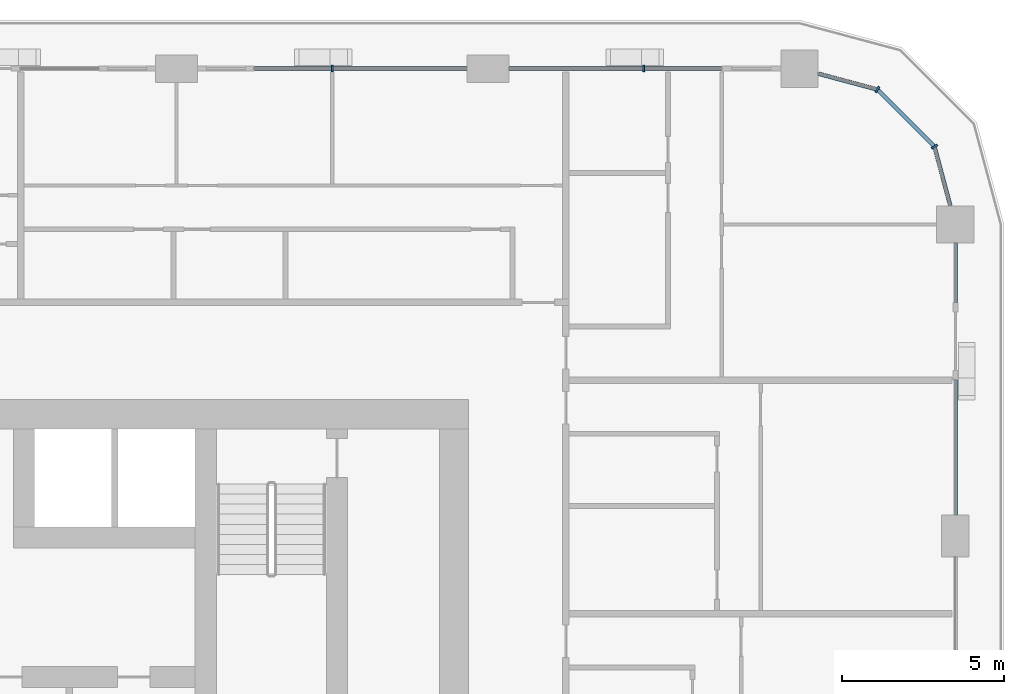
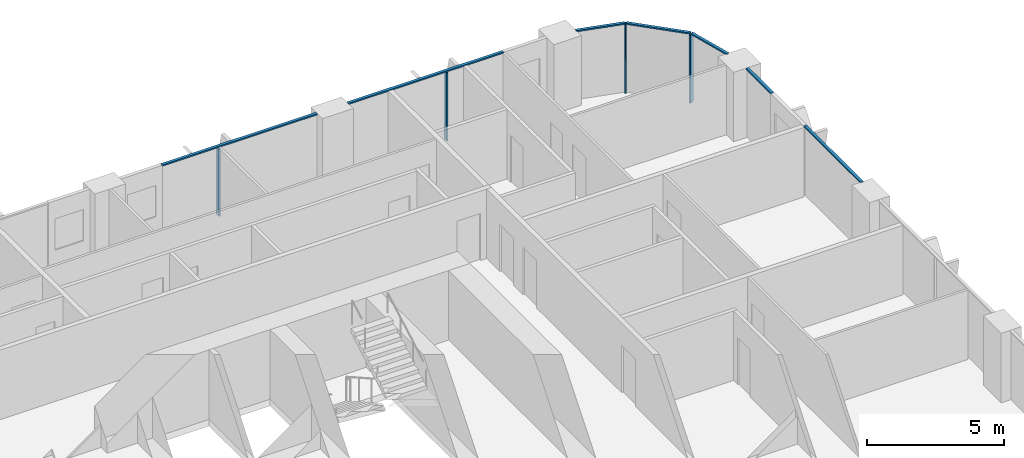
# One storey, part 6 of 21: 11 members, 4 elements without a shape of their own.
"""IFC4 building model written with IfcOpenShell, lengths in metres."""

from ifc_helpers import new_model, si_unit, direction, frame, origin, origin_2d, place, context, subcontext, project, spatial, rectangle, extrude, material, layer, layer_set, material_profile, profile_set, type_object, element, aggregate, save


model = new_model("IFC4")

# Units and contexts
model_context = context("Model", 3, precision=1e-05, world=origin(), true_north=direction((0.0, 1.0)))
body_context = subcontext(model_context, "Body", "Model", "MODEL_VIEW")
ifc_project = project(units=[si_unit("LENGTHUNIT", "METRE"), si_unit("AREAUNIT", "SQUARE_METRE"), si_unit("VOLUMEUNIT", "CUBIC_METRE"), si_unit("PLANEANGLEUNIT", "RADIAN"), si_unit("MASSUNIT", "GRAM", prefix="KILO")], contexts=[model_context])

# Site, building, storey
site_placement = place(None, origin())
site = spatial("IfcSite", under=ifc_project, at=site_placement, CompositionType="ELEMENT")
building_placement = place(site_placement, origin())
building = spatial("IfcBuilding", under=site, at=building_placement, Name="Madar Terraces", CompositionType="ELEMENT")
storey_placement = place(building_placement, frame((0.0, 0.0, 80.300048828125)))
storey = spatial("IfcBuildingStorey", under=building, at=storey_placement, Name="L20", CompositionType="ELEMENT", Elevation=80.300048828125)

# Curtain wall, member
ifc_material_1 = material(Name="Glass, ceramic frit dark grey, with black aluminium frame", Category="aluminium")
ifc_layer = layer(ifc_material_1, 0.199951171875)
ifc_layer_set = layer_set([ifc_layer], Name="Facade curtain wall, fritted glass")
curtain_wall_type = type_object("IfcCurtainWallType", Name="Facade curtain wall, fritted glass", PredefinedType="NOTDEFINED", material=ifc_layer_set)
curtain_wall_1_placement = place(storey_placement, origin())
curtain_wall_1 = element("IfcCurtainWall", 1, at=curtain_wall_1_placement, inside=storey, type_object=curtain_wall_type, Name="Outer skin curtain wall north bay 1", PredefinedType="NOTDEFINED")
ifc_material_2 = material(Name="Aluminium, black anodised", Category="aluminium")
ifc_material_profile_1 = material_profile(ifc_material_2, rectangle(XDim=0.199951171875, YDim=0.06005859375, at=origin_2d()), Name="Facade mullion 60x200")
ifc_profile_set_1 = profile_set([ifc_material_profile_1], Name="Aluminium, black anodised")
member_type_1 = type_object("IfcMemberType", Name="Facade mullion 60x200", PredefinedType="MULLION", material=ifc_profile_set_1)
member_1_placement = place(storey_placement, frame((52.800048828125, 48.0, 0.0), z_axis=(0.0, 0.0, 1.0), x_axis=(0.0, -1.0, 0.0)))
member_1 = element("IfcMember", 2, at=member_1_placement, type_object=member_type_1, Name="Mullion 1", PredefinedType="MULLION", context=body_context, shape_type="SweptSolid", body=[
    extrude(rectangle(XDim=0.199951171875, YDim=0.06005859375, at=origin_2d()), origin(), (0.0, 0.0, 1.0), 3.0400390625),
])

curtain_wall_2_placement = place(storey_placement, origin())
curtain_wall_2 = element("IfcCurtainWall", 3, at=curtain_wall_2_placement, inside=storey, type_object=curtain_wall_type, Name="Outer skin curtain wall north bay 2", PredefinedType="NOTDEFINED")
member_2_placement = place(storey_placement, frame((43.199951171875, 48.0, 0.0), z_axis=(0.0, 0.0, 1.0), x_axis=(0.0, -1.0, 0.0)))
member_2 = element("IfcMember", 4, at=member_2_placement, type_object=member_type_1, Name="Mullion 1", PredefinedType="MULLION", context=body_context, shape_type="SweptSolid", body=[
    extrude(rectangle(XDim=0.199951171875, YDim=0.06005859375, at=origin_2d()), origin(), (0.0, 0.0, 1.0), 3.0400390625),
])

# Curtain wall, members
curtain_wall_3_placement = place(storey_placement, origin())
curtain_wall_3 = element("IfcCurtainWall", 5, at=curtain_wall_3_placement, inside=storey, type_object=curtain_wall_type, Name="Outer skin curtain wall north-east corner", PredefinedType="NOTDEFINED")
member_3_placement = place(storey_placement, frame((61.7568359375, 45.60009765625, 0.0), z_axis=(0.0, 0.0, 1.0), x_axis=(-0.866025409797, -0.499999989586, 0.0)))
member_3 = element("IfcMember", 6, at=member_3_placement, type_object=member_type_1, Name="Mullion 1", PredefinedType="MULLION", context=body_context, shape_type="SweptSolid", body=[
    extrude(rectangle(XDim=0.199951171875, YDim=0.06005859375, at=origin_2d()), origin(), (0.0, 0.0, 1.0), 3.0400390625),
])
member_4_placement = place(storey_placement, frame((60.0, 47.35693359375, 0.0), z_axis=(0.0, 0.0, 1.0), x_axis=(-0.499999989586, -0.866025409797, 0.0)))
member_4 = element("IfcMember", 7, at=member_4_placement, type_object=member_type_1, Name="Mullion 2", PredefinedType="MULLION", context=body_context, shape_type="SweptSolid", body=[
    extrude(rectangle(XDim=0.199951171875, YDim=0.06005859375, at=origin_2d()), origin(), (0.0, 0.0, 1.0), 3.0400390625),
])

curtain_wall_4_placement = place(storey_placement, origin())
curtain_wall_4 = element("IfcCurtainWall", 8, at=curtain_wall_4_placement, inside=storey, type_object=curtain_wall_type, Name="Outer skin curtain wall east bay 4", PredefinedType="NOTDEFINED")
ifc_material_3 = material(Name="Aluminium, black anodised", Category="aluminium")
ifc_material_profile_2 = material_profile(ifc_material_3, rectangle(XDim=0.1201171875, YDim=0.06005859375, at=origin_2d()), Name="Facade transom 60x120")
ifc_profile_set_2 = profile_set([ifc_material_profile_2], Name="Aluminium, black anodised")
member_type_2 = type_object("IfcMemberType", Name="Facade transom 60x120", PredefinedType="USERDEFINED", material=ifc_profile_set_2)
member_5_placement = place(storey_placement, frame((62.39990234375, 34.25, 3.070068359375), z_axis=(0.0, 1.0, 0.0), x_axis=(-1.0, 0.0, 0.0)))
member_5 = element("IfcMember", 9, at=member_5_placement, type_object=member_type_2, Name="Transom 1", ObjectType="TRANSOM", PredefinedType="USERDEFINED", context=body_context, shape_type="SweptSolid", body=[
    extrude(rectangle(XDim=0.1201171875, YDim=0.06005859375, at=origin_2d()), origin(), (0.0, 0.0, 1.0), 4.14990234375),
])
member_6_placement = place(storey_placement, frame((62.39990234375, 40.800048828125, 3.070068359375), z_axis=(0.0, 1.0, 0.0), x_axis=(-1.0, 0.0, 0.0)))
member_6 = element("IfcMember", 10, at=member_6_placement, type_object=member_type_2, Name="Transom 2", ObjectType="TRANSOM", PredefinedType="USERDEFINED", context=body_context, shape_type="SweptSolid", body=[
    extrude(rectangle(XDim=0.1201171875, YDim=0.06005859375, at=origin_2d()), origin(), (0.0, 0.0, 1.0), 1.824951171875),
])
aggregate(curtain_wall_4, [member_5, member_6])

# Member
member_7_placement = place(storey_placement, frame((55.199951171875, 48.0, 3.070068359375), z_axis=(-1.0, 0.0, 0.0), x_axis=(0.0, -1.0, 0.0)))
member_7 = element("IfcMember", 11, at=member_7_placement, type_object=member_type_2, Name="Transom 1", ObjectType="TRANSOM", PredefinedType="USERDEFINED", context=body_context, shape_type="SweptSolid", body=[
    extrude(rectangle(XDim=0.1201171875, YDim=0.06005859375, at=origin_2d()), origin(), (0.0, 0.0, 1.0), 6.550048828125),
])

aggregate(curtain_wall_1, [member_1, member_7])

member_8_placement = place(storey_placement, frame((47.35009765625, 48.0, 3.070068359375), z_axis=(-1.0, 0.0, 0.0), x_axis=(0.0, -1.0, 0.0)))
member_8 = element("IfcMember", 12, at=member_8_placement, type_object=member_type_2, Name="Transom 1", ObjectType="TRANSOM", PredefinedType="USERDEFINED", context=body_context, shape_type="SweptSolid", body=[
    extrude(rectangle(XDim=0.1201171875, YDim=0.06005859375, at=origin_2d()), origin(), (0.0, 0.0, 1.0), 6.550048828125),
])

aggregate(curtain_wall_2, [member_2, member_8])

member_9_placement = place(storey_placement, frame((62.245849609375, 43.77490234375, 3.070068359375), z_axis=(-0.258782024434, 0.965935745187, 0.0), x_axis=(-0.965935745187, -0.258782024434, 0.0)))
member_9 = element("IfcMember", 13, at=member_9_placement, type_object=member_type_2, Name="Transom 1", ObjectType="TRANSOM", PredefinedType="USERDEFINED", context=body_context, shape_type="SweptSolid", body=[
    extrude(rectangle(XDim=0.1201171875, YDim=0.06005859375, at=origin_2d()), origin(), (0.0, 0.0, 1.0), 1.859375),
])

member_10_placement = place(storey_placement, frame((61.735595703125, 45.62109375, 3.070068359375), z_axis=(-0.707056433593, 0.707157125196, 0.0), x_axis=(-0.707157125196, -0.707056433593, 0.0)))
member_10 = element("IfcMember", 14, at=member_10_placement, type_object=member_type_2, Name="Transom 2", ObjectType="TRANSOM", PredefinedType="USERDEFINED", context=body_context, shape_type="SweptSolid", body=[
    extrude(rectangle(XDim=0.1201171875, YDim=0.06005859375, at=origin_2d()), origin(), (0.0, 0.0, 1.0), 2.424560546875),
])

member_11_placement = place(storey_placement, frame((59.970947265625, 47.36474609375, 3.070068359375), z_axis=(-0.965926950947, 0.258814847786, 0.0), x_axis=(-0.258814847786, -0.965926950947, 0.0)))
member_11 = element("IfcMember", 15, at=member_11_placement, type_object=member_type_2, Name="Transom 3", ObjectType="TRANSOM", PredefinedType="USERDEFINED", context=body_context, shape_type="SweptSolid", body=[
    extrude(rectangle(XDim=0.1201171875, YDim=0.06005859375, at=origin_2d()), origin(), (0.0, 0.0, 1.0), 1.859130859375),
])

aggregate(curtain_wall_3, [member_3, member_9, member_4, member_10, member_11])

save(model, "model.ifc")
